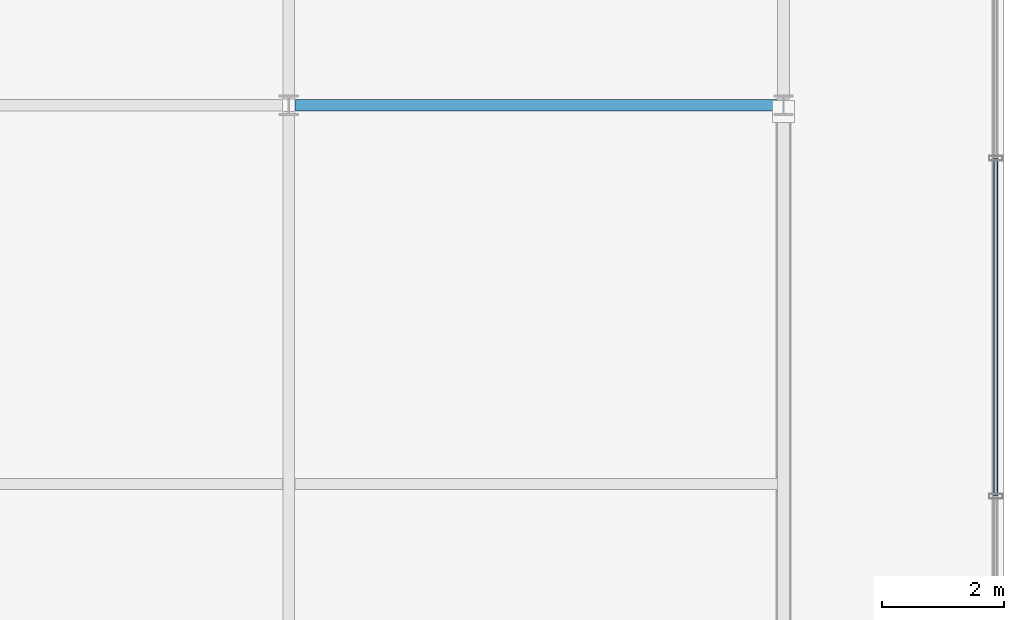
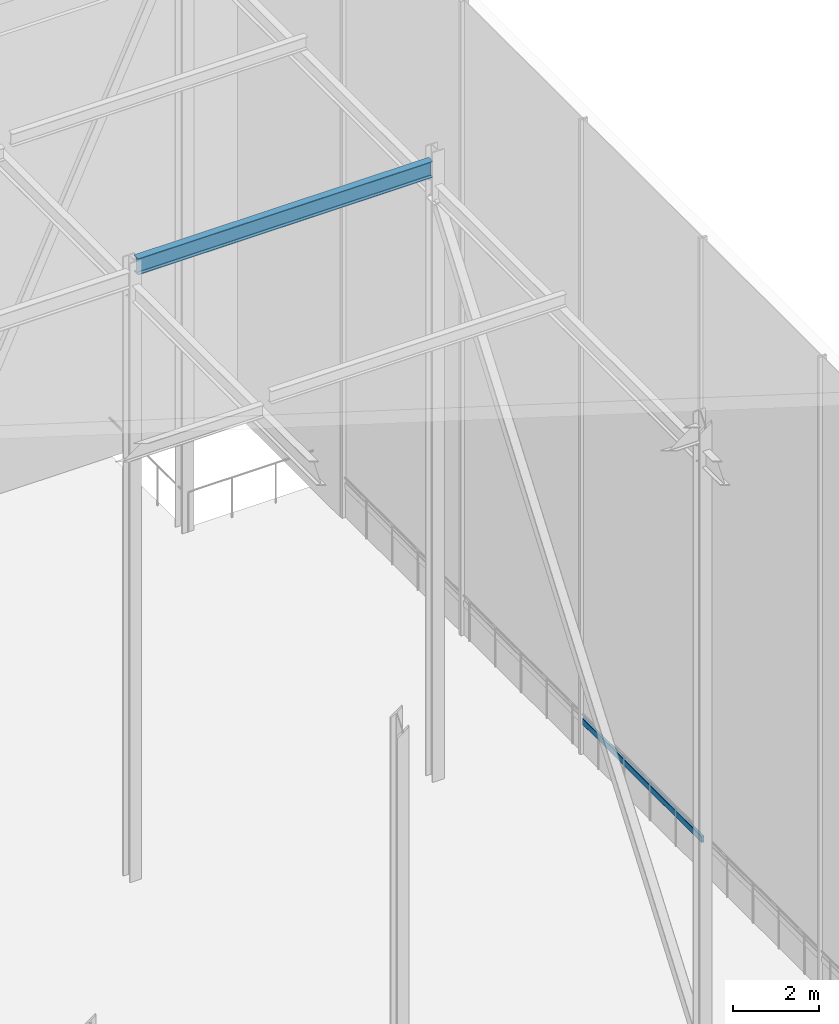
# One storey, part 31 of 39: 1 beam, 1 member, 1 element without a shape of its own.
"""IFC4 building model written with IfcOpenShell, lengths in metres."""

from ifc_helpers import new_model, si_unit, direction, frame, origin, origin_2d, place, context, subcontext, project, spatial, hollow_rectangle, i_section, extrude, material, layer, layer_set, material_profile, profile_set, type_object, element, aggregate, save


model = new_model("IFC4")

# Units and contexts
model_context = context("Model", 3, precision=1e-05, world=origin(), true_north=direction((0.0, 1.0)))
body_context = subcontext(model_context, "Body", "Model", "MODEL_VIEW")
ifc_project = project(units=[si_unit("LENGTHUNIT", "METRE"), si_unit("AREAUNIT", "SQUARE_METRE"), si_unit("VOLUMEUNIT", "CUBIC_METRE"), si_unit("PLANEANGLEUNIT", "RADIAN"), si_unit("MASSUNIT", "GRAM", prefix="KILO")], contexts=[model_context])

# Site, building, storey
site_placement = place(None, origin())
site = spatial("IfcSite", under=ifc_project, at=site_placement, CompositionType="ELEMENT")
building_placement = place(site_placement, origin())
building = spatial("IfcBuilding", under=site, at=building_placement, Name="Korimba Cascade Residences", CompositionType="ELEMENT")
storey_placement = place(building_placement, frame((0.0, 0.0, 264.199951171875)))
storey = spatial("IfcBuildingStorey", under=building, at=storey_placement, Name="RF", CompositionType="ELEMENT", Elevation=264.199951171875)

# Beam
ifc_material_1 = material(Name="Steel S355", Category="steel")
ifc_material_profile_1 = material_profile(ifc_material_1, i_section(OverallWidth=0.19140625, OverallDepth=0.4599609375, WebThickness=0.010009765625, FlangeThickness=0.01611328125, FilletRadius=0.01025390625, at=origin_2d()), Name="Steel S355")
ifc_profile_set_1 = profile_set([ifc_material_profile_1], Name="Steel S355")
beam_type = type_object("IfcBeamType", Name="BM-STL-UB457", PredefinedType="JOIST", material=ifc_profile_set_1)
beam_placement = place(storey_placement, frame((120.405029296875, 79.60009765625, 17.285400390625), z_axis=(1.0, 0.0, 0.0), x_axis=(0.0, 1.0, 0.0)))
element("IfcBeam", 1, at=beam_placement, inside=storey, type_object=beam_type, Name="RF Crown Cap Ring Beam E3.3", PredefinedType="JOIST", context=body_context, shape_type="SweptSolid", body=[
    extrude(i_section(OverallWidth=0.19140625, OverallDepth=0.4599609375, WebThickness=0.010009765625, FlangeThickness=0.01611328125, FilletRadius=0.01025390625, at=origin_2d()), origin(), (0.0, 0.0, 1.0), 7.889892578125),
])

# Curtain wall, member
ifc_material_2 = material(Name="Anodised Aluminium Curtain Wall Framing", Category="aluminium")
ifc_layer = layer(ifc_material_2, 0.179931640625)
ifc_layer_set = layer_set([ifc_layer], Name="Anodised Aluminium Curtain Wall Framing")
curtain_wall_type = type_object("IfcCurtainWallType", Name="CW-CRNW-SYS5", PredefinedType="NOTDEFINED", material=ifc_layer_set)
curtain_wall_placement = place(storey_placement, origin())
curtain_wall = element("IfcCurtainWall", 2, at=curtain_wall_placement, inside=storey, type_object=curtain_wall_type, Name="RF Curtain Wall CW-RF-CRN-E-1", PredefinedType="NOTDEFINED")
ifc_material_3 = material(Name="Anodised Aluminium Transom", Category="aluminium")
ifc_material_profile_2 = material_profile(ifc_material_3, hollow_rectangle(XDim=0.070068359375, YDim=0.179931640625, WallThickness=0.0048828125, InnerFilletRadius=0.0048828125, OuterFilletRadius=0.010009765625, at=origin_2d()), Name="Anodised Aluminium Transom")
ifc_profile_set_2 = profile_set([ifc_material_profile_2], Name="Anodised Aluminium Transom")
member_type = type_object("IfcMemberType", Name="CWM-TRN-150", PredefinedType="USERDEFINED", material=ifc_profile_set_2)
member_placement = place(storey_placement, frame((131.875, 73.199951171875, 0.900146484375), z_axis=(0.0, 1.0, 0.0), x_axis=(-1.0, 0.0, 0.0)))
member = element("IfcMember", 3, at=member_placement, type_object=member_type, Name="CW-RF-CRN-E-1 Transom 4", ObjectType="TRANSOM", PredefinedType="USERDEFINED", context=body_context, shape_type="SweptSolid", body=[
    extrude(hollow_rectangle(XDim=0.070068359375, YDim=0.179931640625, WallThickness=0.0048828125, InnerFilletRadius=0.0048828125, OuterFilletRadius=0.010009765625, at=origin_2d()), origin(), (0.0, 0.0, 1.0), 5.533447265625),
])
aggregate(curtain_wall, [member])

save(model, "model.ifc")
